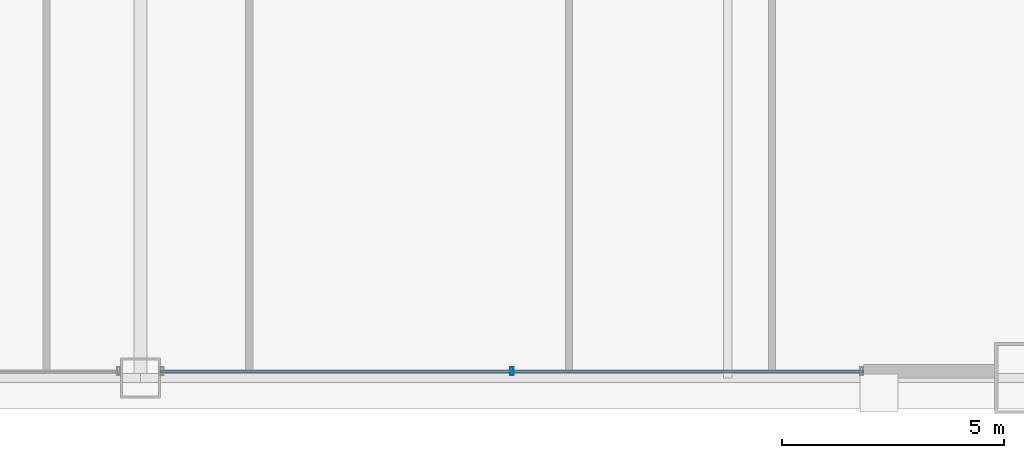
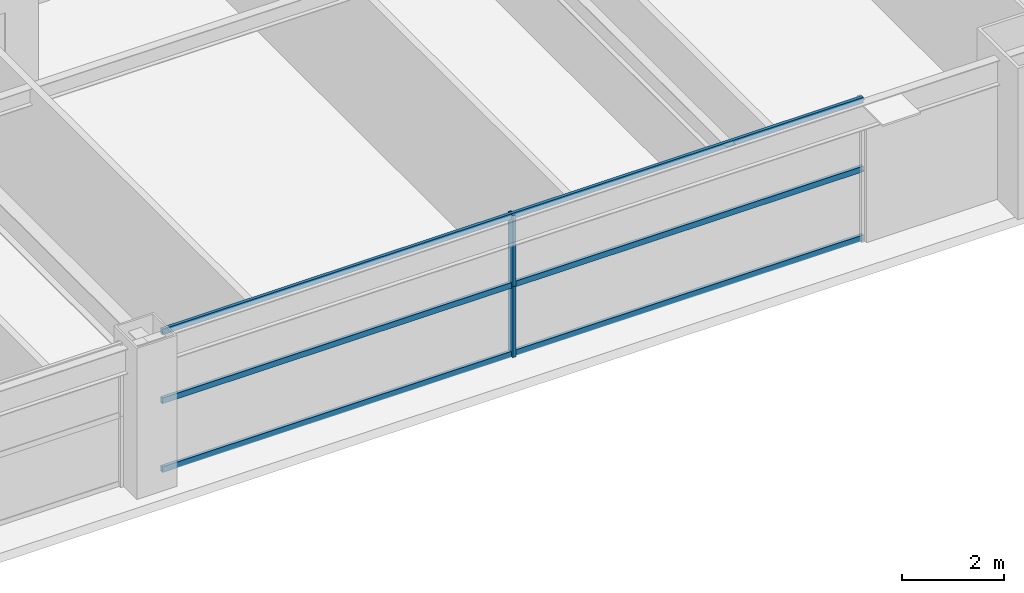
# One storey, part 13 of 38: 5 members, 1 element without a shape of its own.
"""IFC4 building model written with IfcOpenShell, lengths in metres."""

from ifc_helpers import new_model, si_unit, direction, frame, origin, origin_2d, place, context, subcontext, project, spatial, hollow_rectangle, extrude, source, transform, mapped, material, layer, layer_set, material_profile, profile_set, type_object, element, aggregate, save


model = new_model("IFC4")

# Units and contexts
model_context = context("Model", 3, precision=1e-05, world=origin(), true_north=direction((0.0, 1.0)))
body_context = subcontext(model_context, "Body", "Model", "MODEL_VIEW")
ifc_project = project(units=[si_unit("LENGTHUNIT", "METRE"), si_unit("AREAUNIT", "SQUARE_METRE"), si_unit("VOLUMEUNIT", "CUBIC_METRE"), si_unit("PLANEANGLEUNIT", "RADIAN"), si_unit("MASSUNIT", "GRAM", prefix="KILO"), si_unit("THERMODYNAMICTEMPERATUREUNIT", "KELVIN"), si_unit("POWERUNIT", "WATT")], contexts=[model_context])

# Site, building, storey
site_placement = place(None, origin())
site = spatial("IfcSite", under=ifc_project, at=site_placement, CompositionType="ELEMENT")
building_placement = place(site_placement, origin())
building = spatial("IfcBuilding", under=site, at=building_placement, Name="Yuzanri Waterfront Tower", CompositionType="ELEMENT")
storey_placement = place(building_placement, frame((0.0, 0.0, 90.199951171875)))
storey = spatial("IfcBuildingStorey", under=building, at=storey_placement, Name="L23", CompositionType="ELEMENT", Elevation=90.199951171875)

# Curtain wall, members
ifc_material_1 = material(Name="Anodized Architectural Bronze", Category="metal")
ifc_layer = layer(ifc_material_1, 0.159912109375)
ifc_layer_set = layer_set([ifc_layer], Name="Anodized Architectural Bronze")
curtain_wall_type = type_object("IfcCurtainWallType", Name="Anodized Bronze Hotel Upper-Tier Solar-Control Unitized Curtain Wall 7800", PredefinedType="NOTDEFINED", material=ifc_layer_set)
curtain_wall_placement = place(storey_placement, origin())
curtain_wall = element("IfcCurtainWall", 1, at=curtain_wall_placement, inside=storey, type_object=curtain_wall_type, Name="L23 Curtain Wall CW-L23-SR", PredefinedType="NOTDEFINED")
ifc_material_2 = material(Name="Anodized Architectural Bronze", Category="metal")
ifc_material_profile_1 = material_profile(ifc_material_2, hollow_rectangle(XDim=0.070068359375, YDim=0.179931640625, WallThickness=0.00390625, at=origin_2d()), Name="CWM 70x180")
ifc_profile_set_1 = profile_set([ifc_material_profile_1], Name="Anodized Architectural Bronze")
member_type_1 = type_object("IfcMemberType", Name="Anodized Bronze Standard Curtain-Wall Mullion 70x180", PredefinedType="MULLION", material=ifc_profile_set_1)
shared_shape_1 = source(origin(), body_context, "Body", "SweptSolid", [
    extrude(hollow_rectangle(XDim=0.070068359375, YDim=0.179931640625, WallThickness=0.00390625, at=origin_2d()), origin(), (0.0, 0.0, 1.0), 1.68798828125),
])
member_1_placement = place(storey_placement, frame((45.35009765625, 2.35009765625, 0.0), z_axis=(0.0, 0.0, 1.0), x_axis=(1.0, 0.0, 0.0)))
member_1 = element("IfcMember", 2, at=member_1_placement, type_object=member_type_1, Name="CW-L23-SR Lower Mullion 01", PredefinedType="MULLION", context=body_context, shape_type="MappedRepresentation", body=[
    mapped(shared_shape_1, transform((0.0, 0.0, 0.0), scale=1.0)),
])
member_2_placement = place(storey_placement, frame((45.35009765625, 2.35009765625, 1.692138671875), z_axis=(0.0, 0.0, 1.0), x_axis=(1.0, 0.0, 0.0)))
member_2 = element("IfcMember", 3, at=member_2_placement, type_object=member_type_1, Name="CW-L23-SR Upper Mullion 01", PredefinedType="MULLION", context=body_context, shape_type="MappedRepresentation", body=[
    mapped(shared_shape_1, transform((0.0, 0.0, 0.0), scale=1.0)),
])
ifc_material_3 = material(Name="Anodized Architectural Bronze", Category="metal")
ifc_material_profile_2 = material_profile(ifc_material_3, hollow_rectangle(XDim=0.070068359375, YDim=0.135009765625, WallThickness=0.00341796875, at=origin_2d()), Name="CWT 70x135")
ifc_profile_set_2 = profile_set([ifc_material_profile_2], Name="Anodized Architectural Bronze")
member_type_2 = type_object("IfcMemberType", Name="Anodized Bronze Standard Curtain-Wall Transom 70x135", PredefinedType="USERDEFINED", material=ifc_profile_set_2)
shared_shape_2 = source(origin(), body_context, "Body", "SweptSolid", [
    extrude(hollow_rectangle(XDim=0.070068359375, YDim=0.135009765625, WallThickness=0.00341796875, at=origin_2d()), origin(), (0.0, 0.0, 1.0), 15.800048828125),
])
member_3_placement = place(storey_placement, frame((37.449951171875, 2.35009765625, 0.050048828125), z_axis=(1.0, 0.0, 0.0), x_axis=(0.0, 1.0, 0.0)))
member_3 = element("IfcMember", 4, at=member_3_placement, type_object=member_type_2, Name="CW-L23-SR Transom 1", ObjectType="TRANSOM", PredefinedType="USERDEFINED", context=body_context, shape_type="MappedRepresentation", body=[
    mapped(shared_shape_2, transform((0.0, 0.0, 0.0), scale=1.0)),
])
member_4_placement = place(storey_placement, frame((37.449951171875, 2.35009765625, 1.68994140625), z_axis=(1.0, 0.0, 0.0), x_axis=(0.0, 1.0, 0.0)))
member_4 = element("IfcMember", 5, at=member_4_placement, type_object=member_type_2, Name="CW-L23-SR Transom 2", ObjectType="TRANSOM", PredefinedType="USERDEFINED", context=body_context, shape_type="MappedRepresentation", body=[
    mapped(shared_shape_2, transform((0.0, 0.0, 0.0), scale=1.0)),
])
member_5_placement = place(storey_placement, frame((37.449951171875, 2.35009765625, 3.330078125), z_axis=(1.0, 0.0, 0.0), x_axis=(0.0, 1.0, 0.0)))
member_5 = element("IfcMember", 6, at=member_5_placement, type_object=member_type_2, Name="CW-L23-SR Transom 3", ObjectType="TRANSOM", PredefinedType="USERDEFINED", context=body_context, shape_type="MappedRepresentation", body=[
    mapped(shared_shape_2, transform((0.0, 0.0, 0.0), scale=1.0)),
])
aggregate(curtain_wall, [member_1, member_2, member_3, member_4, member_5])

save(model, "model.ifc")
